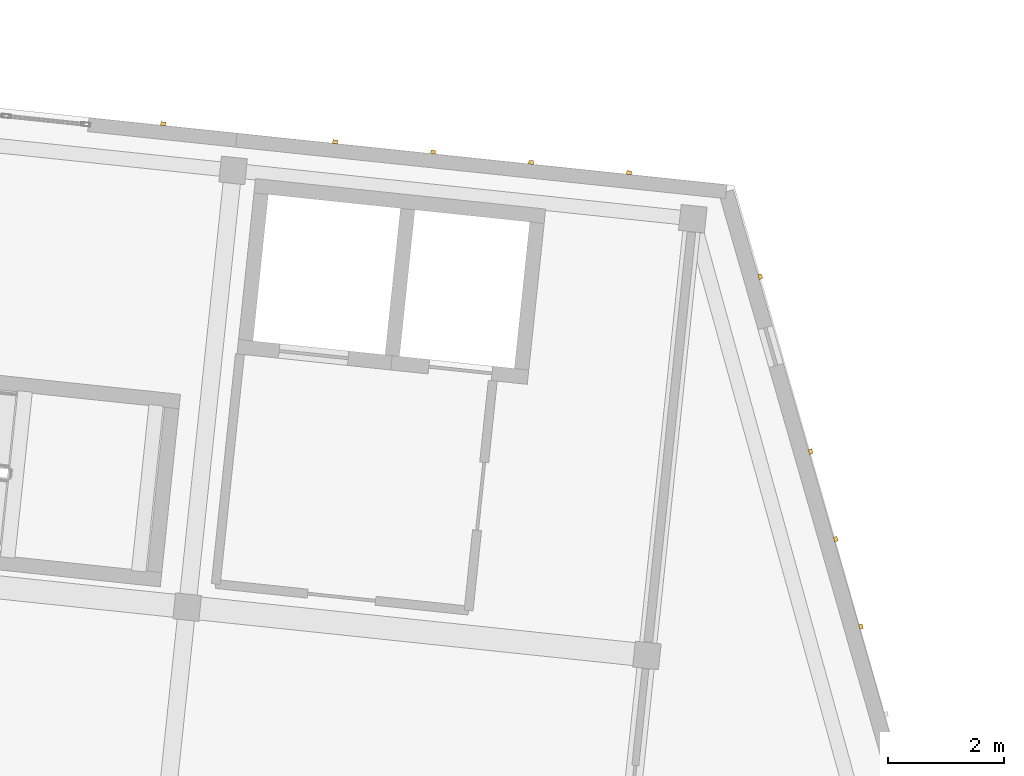
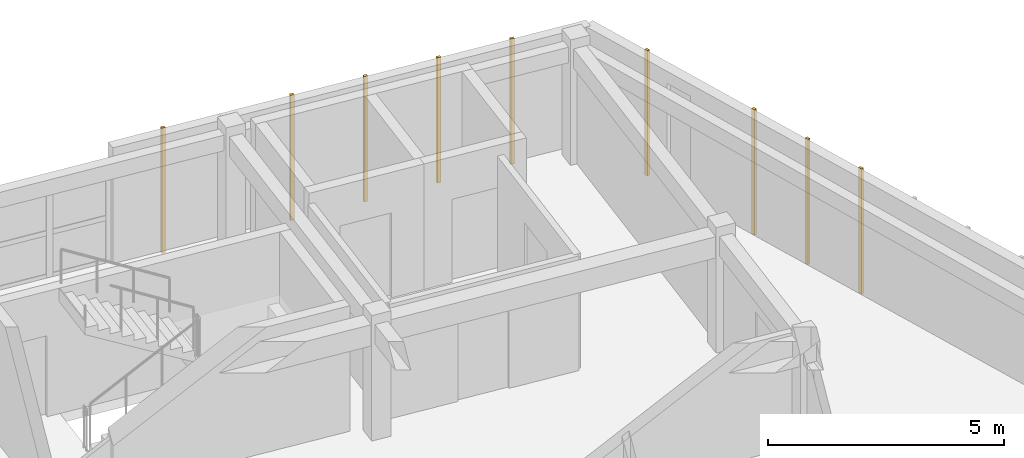
# One storey, part 56 of 56: 9 coverings.
"""IFC4 building model written with IfcOpenShell, lengths in metres."""

from ifc_helpers import new_model, si_unit, direction, frame, origin, origin_2d, place, context, subcontext, project, spatial, rectangle, extrude, material, layer, layer_set, type_object, element, save


model = new_model("IFC4")

# Units and contexts
model_context = context("Model", 3, precision=1e-05, world=origin(), true_north=direction((0.0, 1.0)))
body_context = subcontext(model_context, "Body", "Model", "MODEL_VIEW")
ifc_project = project(units=[si_unit("LENGTHUNIT", "METRE"), si_unit("AREAUNIT", "SQUARE_METRE"), si_unit("VOLUMEUNIT", "CUBIC_METRE"), si_unit("PLANEANGLEUNIT", "RADIAN"), si_unit("MASSUNIT", "GRAM", prefix="KILO")], contexts=[model_context])

# Site, building, storey
site_placement = place(None, origin())
site = spatial("IfcSite", under=ifc_project, at=site_placement, CompositionType="ELEMENT")
building_placement = place(site_placement, origin())
building = spatial("IfcBuilding", under=site, at=building_placement, Name="Kestramere Prow Commons", CompositionType="ELEMENT")
storey_placement = place(building_placement, frame((0.0, 0.0, 27.89990234375)))
storey = spatial("IfcBuildingStorey", under=building, at=storey_placement, Name="L08", CompositionType="ELEMENT", Elevation=27.89990234375)

# Coverings
ifc_material = material(Name="Weathered Zinc-Titanium Standing-Seam Cladding")
ifc_layer = layer(ifc_material, 0.074951171875)
ifc_layer_set = layer_set([ifc_layer], Name="Weathered Zinc-Titanium Standing-Seam Cladding")
covering_type = type_object("IfcCoveringType", Name="COV-CLAD-SEAM", PredefinedType="CLADDING", material=ifc_layer_set)
for number, where, z_axis, x_axis, name in (
    (1, (150.6201171875, 110.919921875, -0.25), (0.0, 0.0, 1.0), (0.994521895368, -0.104528463268, 0.0), "EW-B-L08-NP-4-R Standing-Seam Rib 1"),
    (2, (153.59619140625, 110.607177734375, -0.25), (0.0, 0.0, 1.0), (0.994521895368, -0.104528463268, 0.0), "EW-B-L08-N-5 Standing-Seam Rib 1"),
    (3, (155.291748046875, 110.428955078125, -0.25), (0.0, 0.0, 1.0), (0.994521895368, -0.104528463268, 0.0), "EW-B-L08-N-5 Standing-Seam Rib 2"),
    (4, (156.987548828125, 110.250732421875, -0.25), (0.0, 0.0, 1.0), (0.994521895368, -0.104528463268, 0.0), "EW-B-L08-N-5 Standing-Seam Rib 3"),
    (5, (158.68310546875, 110.072509765625, -0.25), (0.0, 0.0, 1.0), (0.994521895368, -0.104528463268, 0.0), "EW-B-L08-N-5 Standing-Seam Rib 4"),
    (6, (160.954345703125, 108.273193359375, -0.25), (0.0, 0.0, 1.0), (0.27631844013, -0.961066136977, 0.0), "EW-B-L08-PRW-N Standing-Seam Rib 1"),
    (7, (161.824951171875, 105.24462890625, -0.25), (0.0, 0.0, 1.0), (0.27631844013, -0.961066136977, 0.0), "EW-B-L08-PRW-N Standing-Seam Rib 3"),
    (8, (162.260498046875, 103.73046875, -0.25), (0.0, 0.0, 1.0), (0.27631844013, -0.961066136977, 0.0), "EW-B-L08-PRW-N Standing-Seam Rib 4"),
    (9, (162.69580078125, 102.21630859375, -0.25), (0.0, 0.0, 1.0), (0.27631844013, -0.961066136977, 0.0), "EW-B-L08-PRW-N Standing-Seam Rib 5"),
):
    element("IfcCovering", number, at=place(storey_placement, frame(where, z_axis=z_axis, x_axis=x_axis)), inside=storey, type_object=covering_type, Name=name, PredefinedType="CLADDING", context=body_context, shape_type="SweptSolid", body=[
        extrude(rectangle(XDim=0.0849609375, YDim=0.06494140625, at=origin_2d()), origin(), (0.0, 0.0, 1.0), 3.25),
    ])

save(model, "model.ifc")
